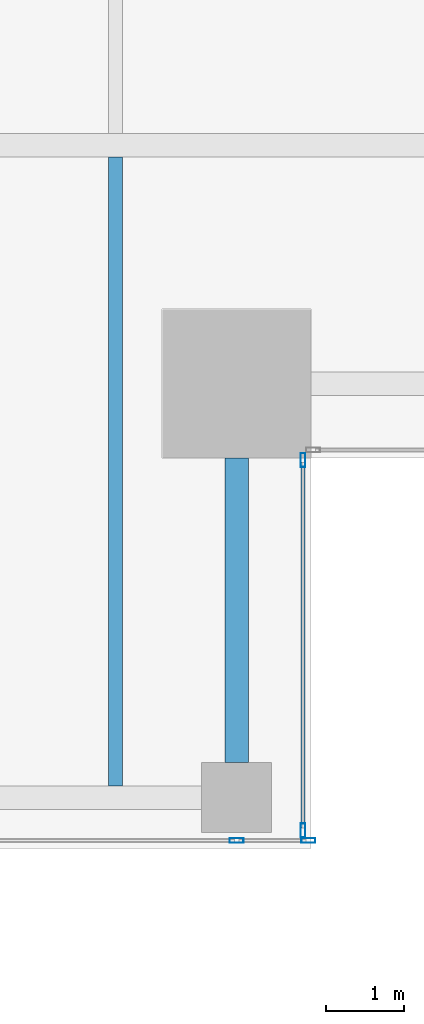
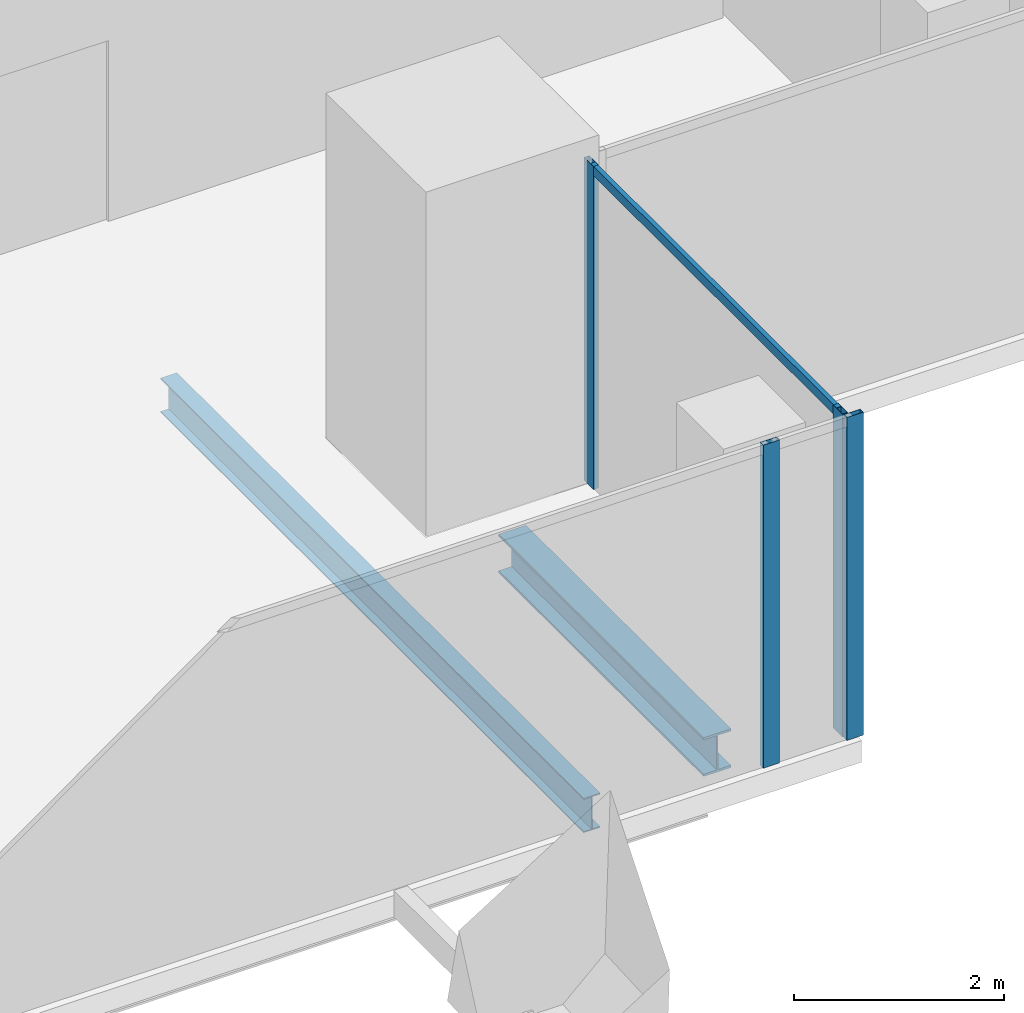
# One storey, part 8 of 35: 5 members, 2 beams, 2 elements without a shape of their own.
"""IFC4 building model written with IfcOpenShell, lengths in metres."""

from ifc_helpers import new_model, si_unit, direction, frame, origin, origin_2d, place, context, subcontext, project, spatial, hollow_rectangle, i_section, extrude, source, transform, mapped, material, material_profile, profile_set, type_object, element, aggregate, save


model = new_model("IFC4")

# Units and contexts
model_context = context("Model", 3, precision=1e-05, world=origin(), true_north=direction((0.0, 1.0)))
body_context = subcontext(model_context, "Body", "Model", "MODEL_VIEW")
ifc_project = project(units=[si_unit("LENGTHUNIT", "METRE"), si_unit("AREAUNIT", "SQUARE_METRE"), si_unit("VOLUMEUNIT", "CUBIC_METRE"), si_unit("PLANEANGLEUNIT", "RADIAN"), si_unit("MASSUNIT", "GRAM", prefix="KILO")], contexts=[model_context])

# Site, building, storey
site_placement = place(None, origin())
site = spatial("IfcSite", under=ifc_project, at=site_placement, CompositionType="ELEMENT")
building_placement = place(site_placement, origin())
building = spatial("IfcBuilding", under=site, at=building_placement, Name="Khomas Fold Tower", CompositionType="ELEMENT")
storey_placement = place(building_placement, frame((0.0, 0.0, 250.199951171875)))
storey = spatial("IfcBuildingStorey", under=building, at=storey_placement, Name="L56", CompositionType="ELEMENT", Elevation=250.199951171875)

# Beams
ifc_material_1 = material(Name="Steel S355", Category="steel")
ifc_material_profile_1 = material_profile(ifc_material_1, i_section(OverallWidth=0.300048828125, OverallDepth=0.449951171875, WebThickness=0.013916015625, FlangeThickness=0.02587890625, at=origin_2d()), Name="HE 450 B")
ifc_profile_set_1 = profile_set([ifc_material_profile_1], Name="Steel S355")
beam_type_1 = type_object("IfcBeamType", Name="HE 450 B spandrel SB4", PredefinedType="SPANDREL", material=ifc_profile_set_1)
shared_shape_1 = source(origin(), body_context, "Body", "SweptSolid", [
    extrude(i_section(OverallWidth=0.300048828125, OverallDepth=0.449951171875, WebThickness=0.013916015625, FlangeThickness=0.02587890625, at=origin_2d()), origin(), (0.0, 0.0, 1.0), 3.89990234375),
])
beam_1_placement = place(storey_placement, frame((43.550048828125, 5.60009765625, -0.474853515625), z_axis=(0.0, 1.0, 0.0), x_axis=(-1.0, 0.0, 0.0)))
element("IfcBeam", 1, at=beam_1_placement, inside=storey, type_object=beam_type_1, Name="SB4", PredefinedType="SPANDREL", context=body_context, shape_type="MappedRepresentation", body=[
    mapped(shared_shape_1, transform((0.0, 0.0, 0.0))),
])
ifc_material_2 = material(Name="Steel S355", Category="steel")
ifc_material_profile_2 = material_profile(ifc_material_2, i_section(OverallWidth=0.179931640625, OverallDepth=0.39990234375, WebThickness=0.008544921875, FlangeThickness=0.013427734375, at=origin_2d()), Name="IPE 400")
ifc_profile_set_2 = profile_set([ifc_material_profile_2], Name="Steel S355")
beam_type_2 = type_object("IfcBeamType", Name="IPE 400 beam JB3", PredefinedType="BEAM", material=ifc_profile_set_2)
shared_shape_2 = source(origin(), body_context, "Body", "SweptSolid", [
    extrude(i_section(OverallWidth=0.179931640625, OverallDepth=0.39990234375, WebThickness=0.008544921875, FlangeThickness=0.013427734375, at=origin_2d()), origin(), (0.0, 0.0, 1.0), 8.050048828125),
])
beam_2_placement = place(storey_placement, frame((42.0, 5.300048828125, -0.449951171875), z_axis=(0.0, 1.0, 0.0), x_axis=(-1.0, 0.0, 0.0)))
element("IfcBeam", 2, at=beam_2_placement, inside=storey, type_object=beam_type_2, Name="JB3", PredefinedType="BEAM", context=body_context, shape_type="MappedRepresentation", body=[
    mapped(shared_shape_2, transform((0.0, 0.0, 0.0))),
])

# Curtain wall, members
ifc_material_3 = material(Name="Aluminium framed double glazing", Category="aluminium")
curtain_wall_type = type_object("IfcCurtainWallType", Name="SK-Unitised clear-glass wall, office floors CW2", PredefinedType="NOTDEFINED", material=ifc_material_3)
curtain_wall_1_placement = place(storey_placement, origin())
curtain_wall_1 = element("IfcCurtainWall", 3, at=curtain_wall_1_placement, inside=storey, type_object=curtain_wall_type, Name="CW2 run L56 00-0", PredefinedType="NOTDEFINED")
ifc_material_4 = material(Name="Aluminium", Category="aluminium")
ifc_material_profile_3 = material_profile(ifc_material_4, hollow_rectangle(XDim=0.06005859375, YDim=0.179931640625, WallThickness=0.00390625, at=origin_2d()), Name="SK-Unitised clear-glass wall, office floors mullion CW2-M")
ifc_profile_set_3 = profile_set([ifc_material_profile_3], Name="Aluminium")
member_type_1 = type_object("IfcMemberType", Name="SK-Unitised clear-glass wall, office floors mullion CW2-M", PredefinedType="MULLION", material=ifc_profile_set_3)
shared_shape_3 = source(origin(), body_context, "Body", "SweptSolid", [
    extrude(hollow_rectangle(XDim=0.06005859375, YDim=0.179931640625, WallThickness=0.00390625, at=origin_2d()), origin(), (0.0, 0.0, 1.0), 3.75),
])
member_1_placement = place(storey_placement, frame((43.550048828125, 4.60009765625, 0.0), z_axis=(0.0, 0.0, 1.0), x_axis=(0.0, 1.0, 0.0)))
member_1 = element("IfcMember", 4, at=member_1_placement, type_object=member_type_1, Name="CW2 mullion 6", PredefinedType="MULLION", context=body_context, shape_type="MappedRepresentation", body=[
    mapped(shared_shape_3, transform((0.0, 0.0, 0.0))),
])
member_2_placement = place(storey_placement, frame((44.469970703125, 4.60009765625, 0.0), z_axis=(0.0, 0.0, 1.0), x_axis=(0.0, 1.0, 0.0)))
member_2 = element("IfcMember", 5, at=member_2_placement, type_object=member_type_1, Name="CW2 mullion 7", PredefinedType="MULLION", context=body_context, shape_type="MappedRepresentation", body=[
    mapped(shared_shape_3, transform((0.0, 0.0, 0.0))),
])
aggregate(curtain_wall_1, [member_1, member_2])

curtain_wall_2_placement = place(storey_placement, origin())
curtain_wall_2 = element("IfcCurtainWall", 6, at=curtain_wall_2_placement, inside=storey, type_object=curtain_wall_type, Name="CW2 corner return L56 01", PredefinedType="NOTDEFINED")
member_3_placement = place(storey_placement, frame((44.39990234375, 4.72998046875, 0.0), z_axis=(0.0, 0.0, 1.0), x_axis=(-1.0, 0.0, 0.0)))
member_3 = element("IfcMember", 7, at=member_3_placement, type_object=member_type_1, Name="CW2 mullion 1", PredefinedType="MULLION", context=body_context, shape_type="MappedRepresentation", body=[
    mapped(shared_shape_3, transform((0.0, 0.0, 0.0))),
])
member_4_placement = place(storey_placement, frame((44.39990234375, 9.469970703125, 0.0), z_axis=(0.0, 0.0, 1.0), x_axis=(-1.0, 0.0, 0.0)))
member_4 = element("IfcMember", 8, at=member_4_placement, type_object=member_type_1, Name="CW2 mullion 2", PredefinedType="MULLION", context=body_context, shape_type="MappedRepresentation", body=[
    mapped(shared_shape_3, transform((0.0, 0.0, 0.0))),
])
ifc_material_5 = material(Name="Aluminium", Category="aluminium")
ifc_material_profile_4 = material_profile(ifc_material_5, hollow_rectangle(XDim=0.050048828125, YDim=0.110107421875, WallThickness=0.00390625, at=origin_2d()), Name="SK-Unitised clear-glass wall, office floors transom CW2-T")
ifc_profile_set_4 = profile_set([ifc_material_profile_4], Name="Aluminium")
member_type_2 = type_object("IfcMemberType", Name="SK-Unitised clear-glass wall, office floors transom CW2-T", PredefinedType="USERDEFINED", material=ifc_profile_set_4)
shared_shape_4 = source(origin(), body_context, "Body", "SweptSolid", [
    extrude(hollow_rectangle(XDim=0.050048828125, YDim=0.110107421875, WallThickness=0.00390625, at=origin_2d()), origin(), (0.0, 0.0, 1.0), 4.679931640625),
])
member_5_placement = place(storey_placement, frame((44.39990234375, 4.760009765625, 3.695068359375), z_axis=(0.0, 1.0, 0.0), x_axis=(-1.0, 0.0, 0.0)))
member_5 = element("IfcMember", 9, at=member_5_placement, type_object=member_type_2, Name="CW2 transom 1", ObjectType="TRANSOM", PredefinedType="USERDEFINED", context=body_context, shape_type="MappedRepresentation", body=[
    mapped(shared_shape_4, transform((0.0, 0.0, 0.0))),
])
aggregate(curtain_wall_2, [member_3, member_4, member_5])

save(model, "model.ifc")
